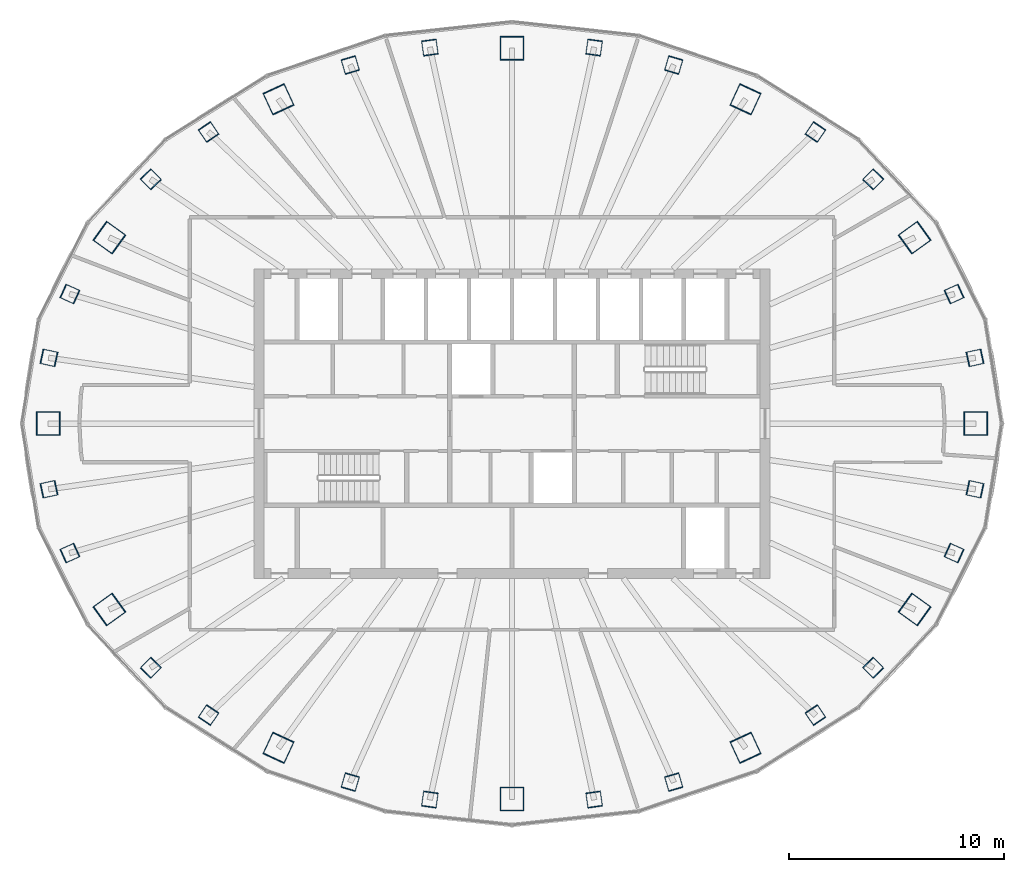
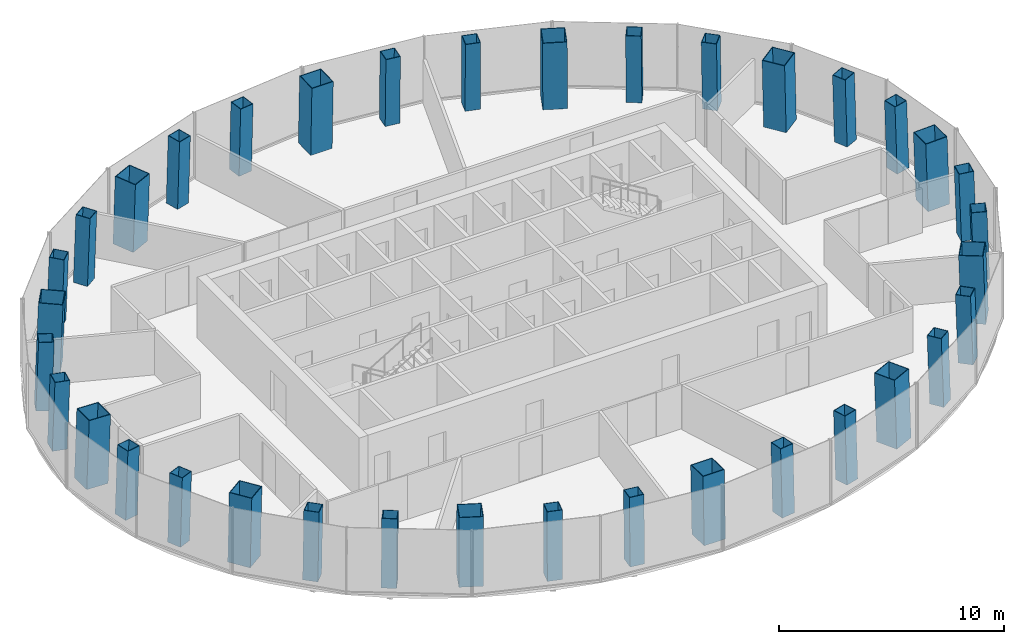
# One storey, part 1 of 11: 36 columns.
"""IFC4 building model written with IfcOpenShell, lengths in metres."""

import ifcopenshell
import ifcopenshell.guid

model = None  # the IFC model being written
_history = None  # IfcOwnerHistory: only IFC2X3 demands one
_inside = {}  # id of a spatial element -> (the spatial element, [elements in it])
_under = {}  # id of a project, library or spatial element -> (it, [spatial elements below it])
_declared = {}  # id of a project -> (the project, [libraries it declares])
_typed = {}  # id of a type object -> (the type object, [elements of that type])
_made_of = {}  # id of a material, layer set ... -> (it, [elements and type objects made of it])


def new_model(schema):
    """Start an empty IFC model of exactly this schema.

    Asked for "IFC4X3", IfcOpenShell would pick the latest addendum, in which some entities
    have other attributes; the version numbers below select the first issue.
    IFC2X3 requires an IfcOwnerHistory on every rooted entity: one is made here for all.
    """
    global model, _history
    if schema == "IFC4X3":
        model = ifcopenshell.file(schema_version=(4, 3, 0, 0))
    else:
        model = ifcopenshell.file(schema=schema)
    _inside.clear()
    _under.clear()
    _declared.clear()
    _typed.clear()
    _made_of.clear()
    _history = None
    if model.schema == "IFC2X3":
        org = make("IfcOrganization", Name="unknown")
        user = make(
            "IfcPersonAndOrganization",
            ThePerson=make("IfcPerson", FamilyName="unknown"),
            TheOrganization=org,
        )
        app = make(
            "IfcApplication",
            ApplicationDeveloper=org,
            Version="unknown",
            ApplicationFullName="unknown",
            ApplicationIdentifier="unknown",
        )
        _history = make(
            "IfcOwnerHistory",
            OwningUser=user,
            OwningApplication=app,
            ChangeAction="ADDED",
            CreationDate=0,
        )
    return model


def make(cls, **values):
    """One entity of the class cls with the attributes given. An attribute that is None is left unset."""
    return model.create_entity(
        cls, **{name: value for name, value in values.items() if value is not None}
    )


def rooted(cls, **values):
    """An entity with a GlobalId (a new one), such as an element, a storey or a relation."""
    return make(cls, GlobalId=ifcopenshell.guid.new(), OwnerHistory=_history, **values)


def si_unit(unit_type, name, prefix=None):
    """IfcSIUnit, for example si_unit("LENGTHUNIT", "METRE", prefix="MILLI")."""
    return make("IfcSIUnit", UnitType=unit_type, Prefix=prefix, Name=name)


def assignment(units):
    """IfcUnitAssignment: the units of a project."""
    return None if units is None else make("IfcUnitAssignment", Units=units)


def point(xyz):
    """IfcCartesianPoint."""
    return None if xyz is None else make("IfcCartesianPoint", Coordinates=xyz)


def direction(xyz):
    """IfcDirection."""
    return None if xyz is None else make("IfcDirection", DirectionRatios=xyz)


def frame(location, z_axis=None, x_axis=None):
    """IfcAxis2Placement3D, a coordinate frame: its origin and axes. An axis left out is left unset."""
    return make(
        "IfcAxis2Placement3D",
        Location=point(location),
        Axis=direction(z_axis),
        RefDirection=direction(x_axis),
    )


def frame_2d(location, x_axis=None):
    """IfcAxis2Placement2D, a coordinate frame in the plane: its origin and x axis."""
    return make(
        "IfcAxis2Placement2D", Location=point(location), RefDirection=direction(x_axis)
    )


def origin():
    """The frame at (0, 0, 0) with its axes left unset."""
    return frame((0.0, 0.0, 0.0))


def origin_2d():
    """The frame at (0, 0) in the plane with its x axis left unset."""
    return frame_2d((0.0, 0.0))


def place(relative_to, where):
    """IfcLocalPlacement: puts the frame where relative to a parent placement (None: the world)."""
    return make(
        "IfcLocalPlacement", PlacementRelTo=relative_to, RelativePlacement=where
    )


def context(
    kind, dimensions, precision=None, world=None, true_north=None, identifier=None
):
    """IfcGeometricRepresentationContext, for example the 3D "Model" context."""
    return make(
        "IfcGeometricRepresentationContext",
        ContextIdentifier=identifier,
        ContextType=kind,
        CoordinateSpaceDimension=dimensions,
        Precision=precision,
        WorldCoordinateSystem=world,
        TrueNorth=true_north,
    )


def subcontext(parent, identifier, kind, view, scale=None):
    """IfcGeometricRepresentationSubContext, for example "Body" below "Model"."""
    return make(
        "IfcGeometricRepresentationSubContext",
        ContextIdentifier=identifier,
        ContextType=kind,
        ParentContext=parent,
        TargetScale=scale,
        TargetView=view,
    )


def project(units=None, contexts=None):
    """IfcProject with its units and contexts."""
    return rooted(
        "IfcProject",
        Name="project",
        RepresentationContexts=contexts,
        UnitsInContext=assignment(units),
    )


def spatial(cls, under=None, at=None, **own):
    """A site, building, storey or space (cls), placed at a placement, below another one or the project."""
    s = rooted(cls, ObjectPlacement=at, **own)
    if under is not None:
        _under.setdefault(under.id(), (under, []))[1].append(s)
    return s


def profile(cls, at=None, kind="AREA", **sizes):
    """A parametric profile (cls). Its sizes go by their IFC names, for example OverallWidth=200.0."""
    return make(cls, ProfileType=kind, Position=at, **sizes)


def hollow_rectangle(**sizes):
    """IfcRectangleHollowProfileDef."""
    return profile("IfcRectangleHollowProfileDef", **sizes)


def extrude(swept, where, along, depth):
    """IfcExtrudedAreaSolid: the profile swept, set in the frame where, extruded along a direction by depth."""
    return make(
        "IfcExtrudedAreaSolid",
        SweptArea=swept,
        Position=where,
        ExtrudedDirection=direction(along),
        Depth=depth,
    )


def shape(context_of_items, identifier, shape_type, items):
    """IfcShapeRepresentation: the items that make up one representation, for example the "Body"."""
    return make(
        "IfcShapeRepresentation",
        ContextOfItems=context_of_items,
        RepresentationIdentifier=identifier,
        RepresentationType=shape_type,
        Items=items,
    )


def material(Name=None, Category=None):
    """IfcMaterial."""
    return make("IfcMaterial", Name=Name, Category=Category)


def material_profile(
    of_material, cross_section, Name=None, Category=None, Priority=None
):
    """IfcMaterialProfile: a cross section and its material."""
    return make(
        "IfcMaterialProfile",
        Name=Name,
        Material=of_material,
        Profile=cross_section,
        Priority=Priority,
        Category=Category,
    )


def profile_set(profiles, Name=None, composite=None):
    """IfcMaterialProfileSet."""
    return make(
        "IfcMaterialProfileSet",
        Name=Name,
        MaterialProfiles=profiles,
        CompositeProfile=composite,
    )


def made_of(thing, what):
    """Note that an element or type object is made of a material, layer set ...; save() writes the relation."""
    if what is not None:
        _made_of.setdefault(what.id(), (what, []))[1].append(thing)
    return thing


def type_object(cls, material=None, **own):
    """A type object (cls), such as IfcWallType, which elements share."""
    return made_of(rooted(cls, **own), material)


def element(
    cls,
    number,
    at=None,
    inside=None,
    cuts=None,
    type_object=None,
    material=None,
    context=None,
    identifier="Body",
    shape_type=None,
    held_by="IfcProductDefinitionShape",
    body=None,
    shapes=None,
    **own,
):
    """One element of the class cls, such as IfcWall. Its Tag is "e" and its number.

    at: its placement. inside: the storey or other place that contains it. cuts: it is an
    opening in that element (IfcRelVoidsElement). A single representation is given by context,
    identifier, shape_type and body (its items); several are given by shapes. held_by: the class
    of the entity that holds the representations. save() writes the other relations.
    """
    e = rooted(cls, Tag="e%d" % number, ObjectPlacement=at, **own)
    if body is not None:
        shapes = [shape(context, identifier, shape_type, body)]
    if shapes is not None:
        e.Representation = make(held_by, Representations=shapes)
    if inside is not None:
        _inside.setdefault(inside.id(), (inside, []))[1].append(e)
    if cuts is not None:
        rooted(
            "IfcRelVoidsElement", RelatingBuildingElement=cuts, RelatedOpeningElement=e
        )
    if type_object is not None:
        _typed.setdefault(type_object.id(), (type_object, []))[1].append(e)
    return made_of(e, material)


def aggregate(whole, parts):
    """IfcRelAggregates: a whole, such as a stair, and the parts it consists of."""
    return rooted("IfcRelAggregates", RelatingObject=whole, RelatedObjects=parts)


def save(model, path):
    """Write the relations noted so far, then the file.

    IfcRelAggregates (storeys below a building ...), IfcRelContainedInSpatialStructure (elements
    in a storey), IfcRelDefinesByType, IfcRelAssociatesMaterial and IfcRelDeclares: one each for
    every whole, place, type object, material and project.
    """
    for whole, parts in _under.values():
        aggregate(whole, parts)
    for where, things in _inside.values():
        rooted(
            "IfcRelContainedInSpatialStructure",
            RelatedElements=things,
            RelatingStructure=where,
        )
    for kind, things in _typed.values():
        rooted("IfcRelDefinesByType", RelatedObjects=things, RelatingType=kind)
    for what, things in _made_of.values():
        rooted("IfcRelAssociatesMaterial", RelatedObjects=things, RelatingMaterial=what)
    for by, libraries in _declared.values():
        rooted("IfcRelDeclares", RelatingContext=by, RelatedDefinitions=libraries)
    model.write(path)


model = new_model("IFC4")

# Units and contexts
model_context = context("Model", 3, precision=1e-05, world=origin(), true_north=direction((0.0, 1.0)))
body_context = subcontext(model_context, "Body", "Model", "MODEL_VIEW")
ifc_project = project(units=[si_unit("LENGTHUNIT", "METRE"), si_unit("AREAUNIT", "SQUARE_METRE"), si_unit("VOLUMEUNIT", "CUBIC_METRE"), si_unit("PLANEANGLEUNIT", "RADIAN"), si_unit("MASSUNIT", "GRAM", prefix="KILO")], contexts=[model_context])

# Site, building, storey
site_placement = place(None, origin())
site = spatial("IfcSite", under=ifc_project, at=site_placement, CompositionType="ELEMENT")
building_placement = place(site_placement, origin())
building = spatial("IfcBuilding", under=site, at=building_placement, Name="Siaravel Broadcast Tower", CompositionType="ELEMENT")
storey_placement = place(building_placement, frame((0.0, 0.0, 197.800048828125)))
storey = spatial("IfcBuildingStorey", under=building, at=storey_placement, Name="L48", CompositionType="ELEMENT", Elevation=197.800048828125)

# Columns
ifc_material = material(Name="Concrete C60/75", Category="concrete")
ifc_material_profile_1 = material_profile(ifc_material, hollow_rectangle(XDim=1.10009765625, YDim=1.10009765625, WallThickness=0.031982421875, at=origin_2d()))
ifc_profile_set_1 = profile_set([ifc_material_profile_1], Name="Concrete C60/75")
column_type_1 = type_object("IfcColumnType", Name="COL-CFT BOX 1100x1100x32", PredefinedType="COLUMN", material=ifc_profile_set_1)
column_1_placement = place(storey_placement, frame((21.59619140625, 0.0, 0.0), z_axis=(-0.034555398, 0.0, 0.999402784), x_axis=(0.0, -1.0, 0.0)))
element("IfcColumn", 1, at=column_1_placement, inside=storey, type_object=column_type_1, Name="Megacolumn MC01", PredefinedType="COLUMN", context=body_context, shape_type="SweptSolid", body=[
    extrude(hollow_rectangle(XDim=1.10009765625, YDim=1.10009765625, WallThickness=0.031982421875, at=origin_2d()), origin(), (0.0, 0.0, 1.0), 3.7021484375),
])
column_2_placement = place(storey_placement, frame((18.75634765625, 8.66162109375, 0.0), z_axis=(-0.029940667, -0.01417895, 0.999451106), x_axis=(0.583901667, -0.811802403, 0.005975179)))
element("IfcColumn", 2, at=column_2_placement, inside=storey, type_object=column_type_1, Name="Megacolumn MC02", PredefinedType="COLUMN", context=body_context, shape_type="SweptSolid", body=[
    extrude(hollow_rectangle(XDim=1.10009765625, YDim=1.10009765625, WallThickness=0.031982421875, at=origin_2d()), origin(), (0.0, 0.0, 1.0), 3.701904296875),
])
column_3_placement = place(storey_placement, frame((10.8779296875, 15.105712890625, 0.0), z_axis=(-0.017346173, -0.024535271, 0.999548463), x_axis=(0.907643071, -0.419707474, 0.005448957)))
element("IfcColumn", 3, at=column_3_placement, inside=storey, type_object=column_type_1, Name="Megacolumn MC03", PredefinedType="COLUMN", context=body_context, shape_type="SweptSolid", body=[
    extrude(hollow_rectangle(XDim=1.10009765625, YDim=1.10009765625, WallThickness=0.031982421875, at=origin_2d()), origin(), (0.0, 0.0, 1.0), 3.70166015625),
])
column_4_placement = place(storey_placement, frame((0.0, 17.49072265625, 0.0), z_axis=(0.0, -0.028296154, 0.999599584), x_axis=(1.0, 0.0, 0.0)))
element("IfcColumn", 4, at=column_4_placement, inside=storey, type_object=column_type_1, Name="Megacolumn MC04", PredefinedType="COLUMN", context=body_context, shape_type="SweptSolid", body=[
    extrude(hollow_rectangle(XDim=1.10009765625, YDim=1.10009765625, WallThickness=0.031982421875, at=origin_2d()), origin(), (0.0, 0.0, 1.0), 3.701416015625),
])
column_5_placement = place(storey_placement, frame((-10.8779296875, 15.105712890625, 0.0), z_axis=(0.017346173, -0.024535271, 0.999548463), x_axis=(0.907643071, 0.419707474, -0.005448957)))
element("IfcColumn", 5, at=column_5_placement, inside=storey, type_object=column_type_1, Name="Megacolumn MC05", PredefinedType="COLUMN", context=body_context, shape_type="SweptSolid", body=[
    extrude(hollow_rectangle(XDim=1.10009765625, YDim=1.10009765625, WallThickness=0.031982421875, at=origin_2d()), origin(), (0.0, 0.0, 1.0), 3.70166015625),
])
column_6_placement = place(storey_placement, frame((-18.75634765625, 8.66162109375, 0.0), z_axis=(0.029940667, -0.01417895, 0.999451106), x_axis=(0.583901667, 0.811802403, -0.005975179)))
element("IfcColumn", 6, at=column_6_placement, inside=storey, type_object=column_type_1, Name="Megacolumn MC06", PredefinedType="COLUMN", context=body_context, shape_type="SweptSolid", body=[
    extrude(hollow_rectangle(XDim=1.10009765625, YDim=1.10009765625, WallThickness=0.031982421875, at=origin_2d()), origin(), (0.0, 0.0, 1.0), 3.701904296875),
])
column_7_placement = place(storey_placement, frame((-21.59619140625, 0.0, 0.0), z_axis=(0.034555398, 0.0, 0.999402784), x_axis=(0.0, 1.0, 0.0)))
element("IfcColumn", 7, at=column_7_placement, inside=storey, type_object=column_type_1, Name="Megacolumn MC07", PredefinedType="COLUMN", context=body_context, shape_type="SweptSolid", body=[
    extrude(hollow_rectangle(XDim=1.10009765625, YDim=1.10009765625, WallThickness=0.031982421875, at=origin_2d()), origin(), (0.0, 0.0, 1.0), 3.7021484375),
])
column_8_placement = place(storey_placement, frame((-18.75634765625, -8.66162109375, 0.0), z_axis=(0.029940667, 0.01417895, 0.999451106), x_axis=(-0.583901667, 0.811802403, 0.005975179)))
element("IfcColumn", 8, at=column_8_placement, inside=storey, type_object=column_type_1, Name="Megacolumn MC08", PredefinedType="COLUMN", context=body_context, shape_type="SweptSolid", body=[
    extrude(hollow_rectangle(XDim=1.10009765625, YDim=1.10009765625, WallThickness=0.031982421875, at=origin_2d()), origin(), (0.0, 0.0, 1.0), 3.701904296875),
])
column_9_placement = place(storey_placement, frame((-10.8779296875, -15.105712890625, 0.0), z_axis=(0.017346173, 0.024535271, 0.999548463), x_axis=(-0.907643071, 0.419707474, 0.005448957)))
element("IfcColumn", 9, at=column_9_placement, inside=storey, type_object=column_type_1, Name="Megacolumn MC09", PredefinedType="COLUMN", context=body_context, shape_type="SweptSolid", body=[
    extrude(hollow_rectangle(XDim=1.10009765625, YDim=1.10009765625, WallThickness=0.031982421875, at=origin_2d()), origin(), (0.0, 0.0, 1.0), 3.70166015625),
])
column_10_placement = place(storey_placement, frame((0.0, -17.49072265625, 0.0), z_axis=(0.0, 0.028296154, 0.999599584), x_axis=(-1.0, 0.0, 0.0)))
element("IfcColumn", 10, at=column_10_placement, inside=storey, type_object=column_type_1, Name="Megacolumn MC10", PredefinedType="COLUMN", context=body_context, shape_type="SweptSolid", body=[
    extrude(hollow_rectangle(XDim=1.10009765625, YDim=1.10009765625, WallThickness=0.031982421875, at=origin_2d()), origin(), (0.0, 0.0, 1.0), 3.701416015625),
])
column_11_placement = place(storey_placement, frame((10.8779296875, -15.105712890625, 0.0), z_axis=(-0.017346173, 0.024535271, 0.999548463), x_axis=(-0.907643071, -0.419707474, -0.005448957)))
element("IfcColumn", 11, at=column_11_placement, inside=storey, type_object=column_type_1, Name="Megacolumn MC11", PredefinedType="COLUMN", context=body_context, shape_type="SweptSolid", body=[
    extrude(hollow_rectangle(XDim=1.10009765625, YDim=1.10009765625, WallThickness=0.031982421875, at=origin_2d()), origin(), (0.0, 0.0, 1.0), 3.70166015625),
])
column_12_placement = place(storey_placement, frame((18.75634765625, -8.66162109375, 0.0), z_axis=(-0.029940667, 0.01417895, 0.999451106), x_axis=(-0.583901667, -0.811802403, -0.005975179)))
element("IfcColumn", 12, at=column_12_placement, inside=storey, type_object=column_type_1, Name="Megacolumn MC12", PredefinedType="COLUMN", context=body_context, shape_type="SweptSolid", body=[
    extrude(hollow_rectangle(XDim=1.10009765625, YDim=1.10009765625, WallThickness=0.031982421875, at=origin_2d()), origin(), (0.0, 0.0, 1.0), 3.701904296875),
])
ifc_material_profile_2 = material_profile(ifc_material, hollow_rectangle(XDim=0.699951171875, YDim=0.699951171875, WallThickness=0.02490234375, at=origin_2d()))
ifc_profile_set_2 = profile_set([ifc_material_profile_2], Name="Concrete C60/75")
column_type_2 = type_object("IfcColumnType", Name="COL-CFT BOX 700x700x25", PredefinedType="COLUMN", material=ifc_profile_set_2)
for number, where, z_axis, x_axis, name in (
    (13, (21.5693359375, 3.059814453125, 0.0), (-0.034028045, -0.004879991, 0.999408964), (0.211883514, -0.977291877, 0.00244225), "Perimeter column C01"),
    (14, (20.596435546875, 6.03369140625, 0.0), (-0.032511791, -0.009694185, 0.999424337), (0.410378814, -0.911904018, 0.004504577), "Perimeter column C02"),
):
    element("IfcColumn", number, at=place(storey_placement, frame(where, z_axis=z_axis, x_axis=x_axis)), inside=storey, type_object=column_type_2, Name=name, PredefinedType="COLUMN", context=body_context, shape_type="SweptSolid", body=[
        extrude(hollow_rectangle(XDim=0.699951171875, YDim=0.699951171875, WallThickness=0.02490234375, at=origin_2d()), origin(), (0.0, 0.0, 1.0), 3.7021484375),
    ])
column_13_placement = place(storey_placement, frame((16.827392578125, 11.37744140625, 0.0), z_axis=(-0.026446274, -0.018202423, 0.9994845), x_axis=(0.72126176, -0.692632375, 0.006470434)))
element("IfcColumn", 15, at=column_13_placement, inside=storey, type_object=column_type_2, Name="Perimeter column C03", PredefinedType="COLUMN", context=body_context, shape_type="SweptSolid", body=[
    extrude(hollow_rectangle(XDim=0.699951171875, YDim=0.699951171875, WallThickness=0.02490234375, at=origin_2d()), origin(), (0.0, 0.0, 1.0), 3.701904296875),
])
column_14_placement = place(storey_placement, frame((14.1357421875, 13.58203125, 0.0), z_axis=(-0.022226156, -0.021698532, 0.999517469), x_axis=(0.828526449, -0.55991484, 0.006268653)))
element("IfcColumn", 16, at=column_14_placement, inside=storey, type_object=column_type_2, Name="Perimeter column C04", PredefinedType="COLUMN", context=body_context, shape_type="SweptSolid", body=[
    extrude(hollow_rectangle(XDim=0.699951171875, YDim=0.699951171875, WallThickness=0.02490234375, at=origin_2d()), origin(), (0.0, 0.0, 1.0), 3.70166015625),
])
for number, where, z_axis, x_axis, name in (
    (17, (7.533935546875, 16.702880859375, 0.0), (-0.011806287, -0.026580634, 0.999576951), (0.959917947, -0.280254239, 0.003885375), "Perimeter column C05"),
    (18, (3.826904296875, 17.5166015625, 0.0), (-0.006002173, -0.027900212, 0.999592693), (0.990174294, -0.139823793, 0.002042916), "Perimeter column C06"),
    (19, (-3.826904296875, 17.5166015625, 0.0), (0.006002173, -0.027900212, 0.999592693), (0.990174294, 0.139823793, -0.002042916), "Perimeter column C07"),
    (20, (-7.533935546875, 16.702880859375, 0.0), (0.011806287, -0.026580634, 0.999576951), (0.959917947, 0.280254239, -0.003885375), "Perimeter column C08"),
):
    element("IfcColumn", number, at=place(storey_placement, frame(where, z_axis=z_axis, x_axis=x_axis)), inside=storey, type_object=column_type_2, Name=name, PredefinedType="COLUMN", context=body_context, shape_type="SweptSolid", body=[
        extrude(hollow_rectangle(XDim=0.699951171875, YDim=0.699951171875, WallThickness=0.02490234375, at=origin_2d()), origin(), (0.0, 0.0, 1.0), 3.701416015625),
    ])
column_15_placement = place(storey_placement, frame((-14.1357421875, 13.58203125, 0.0), z_axis=(0.022226156, -0.021698532, 0.999517469), x_axis=(0.828526449, 0.55991484, -0.006268653)))
element("IfcColumn", 21, at=column_15_placement, inside=storey, type_object=column_type_2, Name="Perimeter column C09", PredefinedType="COLUMN", context=body_context, shape_type="SweptSolid", body=[
    extrude(hollow_rectangle(XDim=0.699951171875, YDim=0.699951171875, WallThickness=0.02490234375, at=origin_2d()), origin(), (0.0, 0.0, 1.0), 3.70166015625),
])
column_16_placement = place(storey_placement, frame((-16.827392578125, 11.37744140625, 0.0), z_axis=(0.026446274, -0.018202423, 0.9994845), x_axis=(0.72126176, 0.692632375, -0.006470434)))
element("IfcColumn", 22, at=column_16_placement, inside=storey, type_object=column_type_2, Name="Perimeter column C10", PredefinedType="COLUMN", context=body_context, shape_type="SweptSolid", body=[
    extrude(hollow_rectangle(XDim=0.699951171875, YDim=0.699951171875, WallThickness=0.02490234375, at=origin_2d()), origin(), (0.0, 0.0, 1.0), 3.701904296875),
])
for number, where, z_axis, x_axis, name in (
    (23, (-20.596435546875, 6.03369140625, 0.0), (0.032511791, -0.009694185, 0.999424337), (0.410378814, 0.911904018, -0.004504577), "Perimeter column C11"),
    (24, (-21.5693359375, 3.059814453125, 0.0), (0.034028045, -0.004879991, 0.999408964), (0.211883514, 0.977291877, -0.00244225), "Perimeter column C12"),
    (25, (-21.5693359375, -3.059814453125, 0.0), (0.034028045, 0.004879991, 0.999408964), (-0.211883514, 0.977291877, 0.00244225), "Perimeter column C13"),
    (26, (-20.596435546875, -6.03369140625, 0.0), (0.032511791, 0.009694185, 0.999424337), (-0.410378814, 0.911904018, 0.004504577), "Perimeter column C14"),
):
    element("IfcColumn", number, at=place(storey_placement, frame(where, z_axis=z_axis, x_axis=x_axis)), inside=storey, type_object=column_type_2, Name=name, PredefinedType="COLUMN", context=body_context, shape_type="SweptSolid", body=[
        extrude(hollow_rectangle(XDim=0.699951171875, YDim=0.699951171875, WallThickness=0.02490234375, at=origin_2d()), origin(), (0.0, 0.0, 1.0), 3.7021484375),
    ])
column_17_placement = place(storey_placement, frame((-16.827392578125, -11.37744140625, 0.0), z_axis=(0.026446274, 0.018202423, 0.9994845), x_axis=(-0.72126176, 0.692632375, 0.006470434)))
element("IfcColumn", 27, at=column_17_placement, inside=storey, type_object=column_type_2, Name="Perimeter column C15", PredefinedType="COLUMN", context=body_context, shape_type="SweptSolid", body=[
    extrude(hollow_rectangle(XDim=0.699951171875, YDim=0.699951171875, WallThickness=0.02490234375, at=origin_2d()), origin(), (0.0, 0.0, 1.0), 3.701904296875),
])
column_18_placement = place(storey_placement, frame((-14.1357421875, -13.58203125, 0.0), z_axis=(0.022226156, 0.021698532, 0.999517469), x_axis=(-0.828526449, 0.55991484, 0.006268653)))
element("IfcColumn", 28, at=column_18_placement, inside=storey, type_object=column_type_2, Name="Perimeter column C16", PredefinedType="COLUMN", context=body_context, shape_type="SweptSolid", body=[
    extrude(hollow_rectangle(XDim=0.699951171875, YDim=0.699951171875, WallThickness=0.02490234375, at=origin_2d()), origin(), (0.0, 0.0, 1.0), 3.70166015625),
])
for number, where, z_axis, x_axis, name in (
    (29, (-7.533935546875, -16.702880859375, 0.0), (0.011806287, 0.026580634, 0.999576951), (-0.959917947, 0.280254239, 0.003885375), "Perimeter column C17"),
    (30, (-3.826904296875, -17.5166015625, 0.0), (0.006002173, 0.027900212, 0.999592693), (-0.990174294, 0.139823793, 0.002042916), "Perimeter column C18"),
    (31, (3.826904296875, -17.5166015625, 0.0), (-0.006002173, 0.027900212, 0.999592693), (-0.990174294, -0.139823793, -0.002042916), "Perimeter column C19"),
    (32, (7.533935546875, -16.702880859375, 0.0), (-0.011806287, 0.026580634, 0.999576951), (-0.959917947, -0.280254239, -0.003885375), "Perimeter column C20"),
):
    element("IfcColumn", number, at=place(storey_placement, frame(where, z_axis=z_axis, x_axis=x_axis)), inside=storey, type_object=column_type_2, Name=name, PredefinedType="COLUMN", context=body_context, shape_type="SweptSolid", body=[
        extrude(hollow_rectangle(XDim=0.699951171875, YDim=0.699951171875, WallThickness=0.02490234375, at=origin_2d()), origin(), (0.0, 0.0, 1.0), 3.701416015625),
    ])
column_19_placement = place(storey_placement, frame((14.1357421875, -13.58203125, 0.0), z_axis=(-0.022226156, 0.021698532, 0.999517469), x_axis=(-0.828526449, -0.55991484, -0.006268653)))
element("IfcColumn", 33, at=column_19_placement, inside=storey, type_object=column_type_2, Name="Perimeter column C21", PredefinedType="COLUMN", context=body_context, shape_type="SweptSolid", body=[
    extrude(hollow_rectangle(XDim=0.699951171875, YDim=0.699951171875, WallThickness=0.02490234375, at=origin_2d()), origin(), (0.0, 0.0, 1.0), 3.70166015625),
])
column_20_placement = place(storey_placement, frame((16.827392578125, -11.37744140625, 0.0), z_axis=(-0.026446274, 0.018202423, 0.9994845), x_axis=(-0.72126176, -0.692632375, -0.006470434)))
element("IfcColumn", 34, at=column_20_placement, inside=storey, type_object=column_type_2, Name="Perimeter column C22", PredefinedType="COLUMN", context=body_context, shape_type="SweptSolid", body=[
    extrude(hollow_rectangle(XDim=0.699951171875, YDim=0.699951171875, WallThickness=0.02490234375, at=origin_2d()), origin(), (0.0, 0.0, 1.0), 3.701904296875),
])
for number, where, z_axis, x_axis, name in (
    (35, (20.596435546875, -6.03369140625, 0.0), (-0.032511791, 0.009694185, 0.999424337), (-0.410378814, -0.911904018, -0.004504577), "Perimeter column C23"),
    (36, (21.5693359375, -3.059814453125, 0.0), (-0.034028045, 0.004879991, 0.999408964), (-0.211883514, -0.977291877, -0.00244225), "Perimeter column C24"),
):
    element("IfcColumn", number, at=place(storey_placement, frame(where, z_axis=z_axis, x_axis=x_axis)), inside=storey, type_object=column_type_2, Name=name, PredefinedType="COLUMN", context=body_context, shape_type="SweptSolid", body=[
        extrude(hollow_rectangle(XDim=0.699951171875, YDim=0.699951171875, WallThickness=0.02490234375, at=origin_2d()), origin(), (0.0, 0.0, 1.0), 3.7021484375),
    ])

save(model, "model.ifc")
